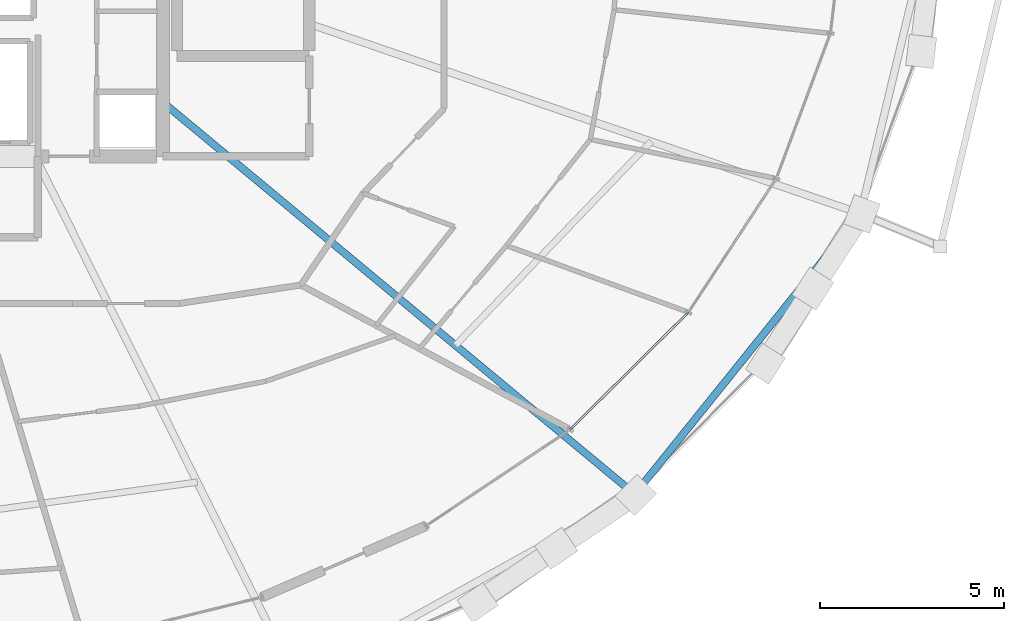
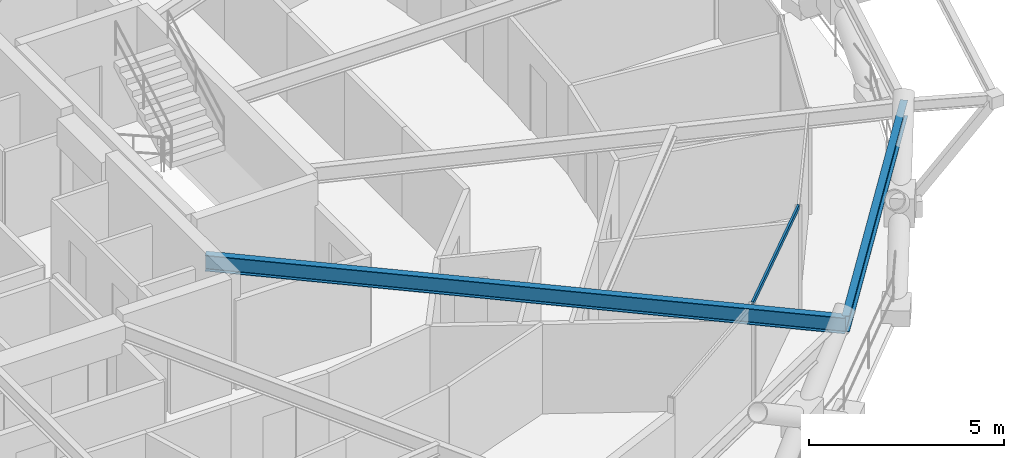
# One storey, part 7 of 22: 2 beams, 1 member, 1 element without a shape of its own.
"""IFC4 building model written with IfcOpenShell, lengths in metres."""

from ifc_helpers import new_model, si_unit, direction, frame, origin, origin_2d, place, context, subcontext, project, spatial, hollow_rectangle, i_section, extrude, material, layer, layer_set, material_profile, profile_set, type_object, element, aggregate, save


model = new_model("IFC4")

# Units and contexts
model_context = context("Model", 3, precision=1e-05, world=origin(), true_north=direction((0.0, 1.0)))
body_context = subcontext(model_context, "Body", "Model", "MODEL_VIEW")
ifc_project = project(units=[si_unit("LENGTHUNIT", "METRE"), si_unit("AREAUNIT", "SQUARE_METRE"), si_unit("VOLUMEUNIT", "CUBIC_METRE"), si_unit("PLANEANGLEUNIT", "RADIAN"), si_unit("MASSUNIT", "GRAM", prefix="KILO")], contexts=[model_context])

# Site, building, storey
site_placement = place(None, origin())
site = spatial("IfcSite", under=ifc_project, at=site_placement, CompositionType="ELEMENT")
building_placement = place(site_placement, origin())
building = spatial("IfcBuilding", under=site, at=building_placement, Name="Veldorina Hangang Commons", CompositionType="ELEMENT")
storey_placement = place(building_placement, frame((0.0, 0.0, 146.0)))
storey = spatial("IfcBuildingStorey", under=building, at=storey_placement, Name="L37", CompositionType="ELEMENT", Elevation=146.0)

# Beams
ifc_material_1 = material(Name="Steel SM420-TMC", Category="steel")
ifc_material_profile_1 = material_profile(ifc_material_1, i_section(OverallWidth=0.199951171875, OverallDepth=0.5, WebThickness=0.010009765625, FlangeThickness=0.01611328125, FilletRadius=0.01611328125, at=origin_2d()), Name="H-500x200x10x16")
ifc_profile_set_1 = profile_set([ifc_material_profile_1], Name="Steel SM420-TMC")
beam_type_1 = type_object("IfcBeamType", Name="BM-FG500", PredefinedType="BEAM", material=ifc_profile_set_1)
beam_1_placement = place(storey_placement, frame((39.199951171875, 18.019775390625, 3.10009765625), z_axis=(0.769255437361, -0.638941368274, 0.0), x_axis=(0.638941368274, 0.769255437361, 0.0)))
element("IfcBeam", 1, at=beam_1_placement, inside=storey, type_object=beam_type_1, Name="L37 radial floor girder 15", PredefinedType="BEAM", context=body_context, shape_type="SweptSolid", body=[
    extrude(i_section(OverallWidth=0.199951171875, OverallDepth=0.5, WebThickness=0.010009765625, FlangeThickness=0.01611328125, FilletRadius=0.01611328125, at=origin_2d()), origin(), (0.0, 0.0, 1.0), 16.683349609375),
])
ifc_material_profile_2 = material_profile(ifc_material_1, i_section(OverallWidth=0.199951171875, OverallDepth=0.5, WebThickness=0.010009765625, FlangeThickness=0.01611328125, FilletRadius=0.01611328125, at=origin_2d()), Name="H-500x200x10x16")
ifc_profile_set_2 = profile_set([ifc_material_profile_2], Name="Steel SM420-TMC")
beam_type_2 = type_object("IfcBeamType", Name="BM-RB500", PredefinedType="BEAM", material=ifc_profile_set_2)
beam_2_placement = place(storey_placement, frame((52.03369140625, 7.360107421875, 3.10009765625), z_axis=(0.626819817202, 0.779164242483, 0.0), x_axis=(-0.779164242483, 0.626819817202, 0.0)))
element("IfcBeam", 2, at=beam_2_placement, inside=storey, type_object=beam_type_2, Name="L37 perimeter hoop ring beam 28", PredefinedType="BEAM", context=body_context, shape_type="SweptSolid", body=[
    extrude(i_section(OverallWidth=0.199951171875, OverallDepth=0.5, WebThickness=0.010009765625, FlangeThickness=0.01611328125, FilletRadius=0.01611328125, at=origin_2d()), origin(), (0.0, 0.0, 1.0), 9.798095703125),
])

# Curtain wall, member
ifc_material_2 = material(Name="Glass Low-E Triple IGU", Category="glass")
ifc_layer = layer(ifc_material_2, 0.179931640625)
ifc_layer_set = layer_set([ifc_layer], Name="Glass Low-E Triple IGU")
curtain_wall_type = type_object("IfcCurtainWallType", Name="CW-SYS-Z2", PredefinedType="NOTDEFINED", material=ifc_layer_set)
curtain_wall_placement = place(storey_placement, origin())
curtain_wall = element("IfcCurtainWall", 3, at=curtain_wall_placement, inside=storey, type_object=curtain_wall_type, Name="L37 unitised curtain wall CW-L37-R2", PredefinedType="NOTDEFINED")
ifc_material_3 = material(Name="Aluminium Anodized AA6063-T6", Category="aluminium")
ifc_material_profile_3 = material_profile(ifc_material_3, hollow_rectangle(XDim=0.06005859375, YDim=0.139892578125, WallThickness=0.00341796875, at=origin_2d()), Name="ALU-RHS-140x60x3.5")
ifc_profile_set_3 = profile_set([ifc_material_profile_3], Name="Aluminium Anodized AA6063-T6")
member_type = type_object("IfcMemberType", Name="CW-TRN-140", PredefinedType="USERDEFINED", material=ifc_profile_set_3)
member_placement = place(storey_placement, frame((50.279052734375, 9.123046875, 3.27001953125), z_axis=(0.710039400763, 0.704161948251, 0.0), x_axis=(-0.704161948251, 0.710039400763, 0.0)))
member = element("IfcMember", 4, at=member_placement, type_object=member_type, Name="CW-L37-R2 facet 2 transom 1", ObjectType="TRANSOM", PredefinedType="USERDEFINED", context=body_context, shape_type="SweptSolid", body=[
    extrude(hollow_rectangle(XDim=0.06005859375, YDim=0.139892578125, WallThickness=0.00341796875, at=origin_2d()), origin(), (0.0, 0.0, 1.0), 4.527587890625),
])
aggregate(curtain_wall, [member])

save(model, "model.ifc")
